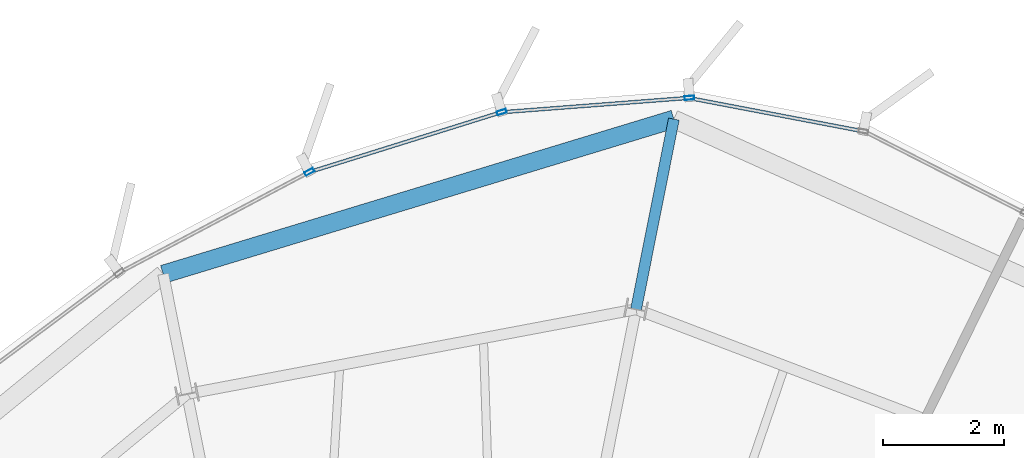
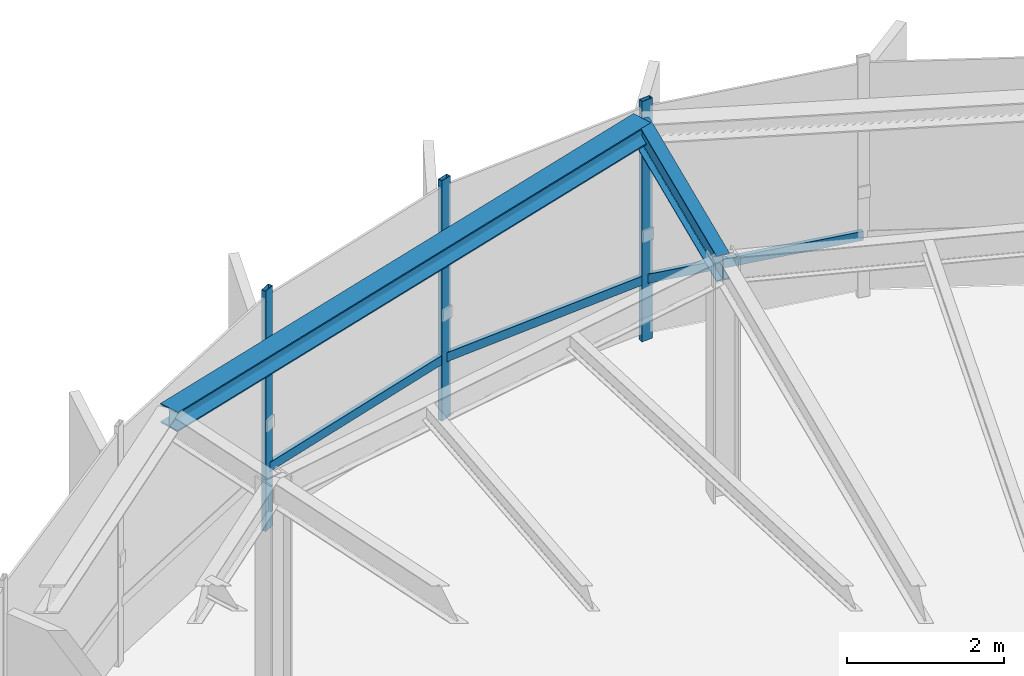
# One storey, part 18 of 26: 6 members, 2 beams, 1 element without a shape of its own.
"""IFC4 building model written with IfcOpenShell, lengths in metres."""

import ifcopenshell
import ifcopenshell.guid

model = None  # the IFC model being written
_history = None  # IfcOwnerHistory: only IFC2X3 demands one
_inside = {}  # id of a spatial element -> (the spatial element, [elements in it])
_under = {}  # id of a project, library or spatial element -> (it, [spatial elements below it])
_declared = {}  # id of a project -> (the project, [libraries it declares])
_typed = {}  # id of a type object -> (the type object, [elements of that type])
_made_of = {}  # id of a material, layer set ... -> (it, [elements and type objects made of it])


def new_model(schema):
    """Start an empty IFC model of exactly this schema.

    Asked for "IFC4X3", IfcOpenShell would pick the latest addendum, in which some entities
    have other attributes; the version numbers below select the first issue.
    IFC2X3 requires an IfcOwnerHistory on every rooted entity: one is made here for all.
    """
    global model, _history
    if schema == "IFC4X3":
        model = ifcopenshell.file(schema_version=(4, 3, 0, 0))
    else:
        model = ifcopenshell.file(schema=schema)
    _inside.clear()
    _under.clear()
    _declared.clear()
    _typed.clear()
    _made_of.clear()
    _history = None
    if model.schema == "IFC2X3":
        org = make("IfcOrganization", Name="unknown")
        user = make(
            "IfcPersonAndOrganization",
            ThePerson=make("IfcPerson", FamilyName="unknown"),
            TheOrganization=org,
        )
        app = make(
            "IfcApplication",
            ApplicationDeveloper=org,
            Version="unknown",
            ApplicationFullName="unknown",
            ApplicationIdentifier="unknown",
        )
        _history = make(
            "IfcOwnerHistory",
            OwningUser=user,
            OwningApplication=app,
            ChangeAction="ADDED",
            CreationDate=0,
        )
    return model


def make(cls, **values):
    """One entity of the class cls with the attributes given. An attribute that is None is left unset."""
    return model.create_entity(
        cls, **{name: value for name, value in values.items() if value is not None}
    )


def rooted(cls, **values):
    """An entity with a GlobalId (a new one), such as an element, a storey or a relation."""
    return make(cls, GlobalId=ifcopenshell.guid.new(), OwnerHistory=_history, **values)


def si_unit(unit_type, name, prefix=None):
    """IfcSIUnit, for example si_unit("LENGTHUNIT", "METRE", prefix="MILLI")."""
    return make("IfcSIUnit", UnitType=unit_type, Prefix=prefix, Name=name)


def assignment(units):
    """IfcUnitAssignment: the units of a project."""
    return None if units is None else make("IfcUnitAssignment", Units=units)


def point(xyz):
    """IfcCartesianPoint."""
    return None if xyz is None else make("IfcCartesianPoint", Coordinates=xyz)


def direction(xyz):
    """IfcDirection."""
    return None if xyz is None else make("IfcDirection", DirectionRatios=xyz)


def frame(location, z_axis=None, x_axis=None):
    """IfcAxis2Placement3D, a coordinate frame: its origin and axes. An axis left out is left unset."""
    return make(
        "IfcAxis2Placement3D",
        Location=point(location),
        Axis=direction(z_axis),
        RefDirection=direction(x_axis),
    )


def frame_2d(location, x_axis=None):
    """IfcAxis2Placement2D, a coordinate frame in the plane: its origin and x axis."""
    return make(
        "IfcAxis2Placement2D", Location=point(location), RefDirection=direction(x_axis)
    )


def origin():
    """The frame at (0, 0, 0) with its axes left unset."""
    return frame((0.0, 0.0, 0.0))


def origin_2d():
    """The frame at (0, 0) in the plane with its x axis left unset."""
    return frame_2d((0.0, 0.0))


def place(relative_to, where):
    """IfcLocalPlacement: puts the frame where relative to a parent placement (None: the world)."""
    return make(
        "IfcLocalPlacement", PlacementRelTo=relative_to, RelativePlacement=where
    )


def context(
    kind, dimensions, precision=None, world=None, true_north=None, identifier=None
):
    """IfcGeometricRepresentationContext, for example the 3D "Model" context."""
    return make(
        "IfcGeometricRepresentationContext",
        ContextIdentifier=identifier,
        ContextType=kind,
        CoordinateSpaceDimension=dimensions,
        Precision=precision,
        WorldCoordinateSystem=world,
        TrueNorth=true_north,
    )


def subcontext(parent, identifier, kind, view, scale=None):
    """IfcGeometricRepresentationSubContext, for example "Body" below "Model"."""
    return make(
        "IfcGeometricRepresentationSubContext",
        ContextIdentifier=identifier,
        ContextType=kind,
        ParentContext=parent,
        TargetScale=scale,
        TargetView=view,
    )


def project(units=None, contexts=None):
    """IfcProject with its units and contexts."""
    return rooted(
        "IfcProject",
        Name="project",
        RepresentationContexts=contexts,
        UnitsInContext=assignment(units),
    )


def spatial(cls, under=None, at=None, **own):
    """A site, building, storey or space (cls), placed at a placement, below another one or the project."""
    s = rooted(cls, ObjectPlacement=at, **own)
    if under is not None:
        _under.setdefault(under.id(), (under, []))[1].append(s)
    return s


def profile(cls, at=None, kind="AREA", **sizes):
    """A parametric profile (cls). Its sizes go by their IFC names, for example OverallWidth=200.0."""
    return make(cls, ProfileType=kind, Position=at, **sizes)


def hollow_rectangle(**sizes):
    """IfcRectangleHollowProfileDef."""
    return profile("IfcRectangleHollowProfileDef", **sizes)


def i_section(**sizes):
    """IfcIShapeProfileDef."""
    return profile("IfcIShapeProfileDef", **sizes)


def extrude(swept, where, along, depth):
    """IfcExtrudedAreaSolid: the profile swept, set in the frame where, extruded along a direction by depth."""
    return make(
        "IfcExtrudedAreaSolid",
        SweptArea=swept,
        Position=where,
        ExtrudedDirection=direction(along),
        Depth=depth,
    )


def shape(context_of_items, identifier, shape_type, items):
    """IfcShapeRepresentation: the items that make up one representation, for example the "Body"."""
    return make(
        "IfcShapeRepresentation",
        ContextOfItems=context_of_items,
        RepresentationIdentifier=identifier,
        RepresentationType=shape_type,
        Items=items,
    )


def source(mapping_origin, context_of_items, identifier, shape_type, items):
    """IfcRepresentationMap: a shape defined once, which mapped items show again and again."""
    return make(
        "IfcRepresentationMap",
        MappingOrigin=mapping_origin,
        MappedRepresentation=shape(context_of_items, identifier, shape_type, items),
    )


def transform(
    local_origin,
    x_axis=None,
    y_axis=None,
    z_axis=None,
    scale=None,
    scale2=None,
    scale3=None,
    uniform=True,
):
    """IfcCartesianTransformationOperator3D, or its non-uniform kind. x_axis, y_axis, z_axis: its Axis1, 2, 3."""
    if uniform:
        return make(
            "IfcCartesianTransformationOperator3D",
            Axis1=direction(x_axis),
            Axis2=direction(y_axis),
            LocalOrigin=point(local_origin),
            Scale=scale,
            Axis3=direction(z_axis),
        )
    return make(
        "IfcCartesianTransformationOperator3DnonUniform",
        Axis1=direction(x_axis),
        Axis2=direction(y_axis),
        LocalOrigin=point(local_origin),
        Scale=scale,
        Axis3=direction(z_axis),
        Scale2=scale2,
        Scale3=scale3,
    )


def mapped(mapping_source, mapping_target):
    """IfcMappedItem: shows the shape of a source again, moved by a transform."""
    return make(
        "IfcMappedItem", MappingSource=mapping_source, MappingTarget=mapping_target
    )


def material(Name=None, Category=None):
    """IfcMaterial."""
    return make("IfcMaterial", Name=Name, Category=Category)


def layer(
    of_material, thickness, ventilated=None, Name=None, Category=None, Priority=None
):
    """IfcMaterialLayer: one layer of a wall or slab, of a material (None: an air gap)."""
    return make(
        "IfcMaterialLayer",
        Material=of_material,
        LayerThickness=thickness,
        IsVentilated=ventilated,
        Name=Name,
        Category=Category,
        Priority=Priority,
    )


def layer_set(layers, Name=None):
    """IfcMaterialLayerSet."""
    return make("IfcMaterialLayerSet", MaterialLayers=layers, LayerSetName=Name)


def material_profile(
    of_material, cross_section, Name=None, Category=None, Priority=None
):
    """IfcMaterialProfile: a cross section and its material."""
    return make(
        "IfcMaterialProfile",
        Name=Name,
        Material=of_material,
        Profile=cross_section,
        Priority=Priority,
        Category=Category,
    )


def profile_set(profiles, Name=None, composite=None):
    """IfcMaterialProfileSet."""
    return make(
        "IfcMaterialProfileSet",
        Name=Name,
        MaterialProfiles=profiles,
        CompositeProfile=composite,
    )


def made_of(thing, what):
    """Note that an element or type object is made of a material, layer set ...; save() writes the relation."""
    if what is not None:
        _made_of.setdefault(what.id(), (what, []))[1].append(thing)
    return thing


def type_object(cls, material=None, **own):
    """A type object (cls), such as IfcWallType, which elements share."""
    return made_of(rooted(cls, **own), material)


def element(
    cls,
    number,
    at=None,
    inside=None,
    cuts=None,
    type_object=None,
    material=None,
    context=None,
    identifier="Body",
    shape_type=None,
    held_by="IfcProductDefinitionShape",
    body=None,
    shapes=None,
    **own,
):
    """One element of the class cls, such as IfcWall. Its Tag is "e" and its number.

    at: its placement. inside: the storey or other place that contains it. cuts: it is an
    opening in that element (IfcRelVoidsElement). A single representation is given by context,
    identifier, shape_type and body (its items); several are given by shapes. held_by: the class
    of the entity that holds the representations. save() writes the other relations.
    """
    e = rooted(cls, Tag="e%d" % number, ObjectPlacement=at, **own)
    if body is not None:
        shapes = [shape(context, identifier, shape_type, body)]
    if shapes is not None:
        e.Representation = make(held_by, Representations=shapes)
    if inside is not None:
        _inside.setdefault(inside.id(), (inside, []))[1].append(e)
    if cuts is not None:
        rooted(
            "IfcRelVoidsElement", RelatingBuildingElement=cuts, RelatedOpeningElement=e
        )
    if type_object is not None:
        _typed.setdefault(type_object.id(), (type_object, []))[1].append(e)
    return made_of(e, material)


def aggregate(whole, parts):
    """IfcRelAggregates: a whole, such as a stair, and the parts it consists of."""
    return rooted("IfcRelAggregates", RelatingObject=whole, RelatedObjects=parts)


def save(model, path):
    """Write the relations noted so far, then the file.

    IfcRelAggregates (storeys below a building ...), IfcRelContainedInSpatialStructure (elements
    in a storey), IfcRelDefinesByType, IfcRelAssociatesMaterial and IfcRelDeclares: one each for
    every whole, place, type object, material and project.
    """
    for whole, parts in _under.values():
        aggregate(whole, parts)
    for where, things in _inside.values():
        rooted(
            "IfcRelContainedInSpatialStructure",
            RelatedElements=things,
            RelatingStructure=where,
        )
    for kind, things in _typed.values():
        rooted("IfcRelDefinesByType", RelatedObjects=things, RelatingType=kind)
    for what, things in _made_of.values():
        rooted("IfcRelAssociatesMaterial", RelatedObjects=things, RelatingMaterial=what)
    for by, libraries in _declared.values():
        rooted("IfcRelDeclares", RelatingContext=by, RelatedDefinitions=libraries)
    model.write(path)


model = new_model("IFC4")

# Units and contexts
model_context = context("Model", 3, precision=1e-05, world=origin(), true_north=direction((0.0, 1.0)))
body_context = subcontext(model_context, "Body", "Model", "MODEL_VIEW")
ifc_project = project(units=[si_unit("LENGTHUNIT", "METRE"), si_unit("AREAUNIT", "SQUARE_METRE"), si_unit("VOLUMEUNIT", "CUBIC_METRE"), si_unit("PLANEANGLEUNIT", "RADIAN"), si_unit("MASSUNIT", "GRAM", prefix="KILO"), si_unit("THERMODYNAMICTEMPERATUREUNIT", "KELVIN")], contexts=[model_context])

# Site, building, storey
site_placement = place(None, origin())
site = spatial("IfcSite", under=ifc_project, at=site_placement, CompositionType="ELEMENT")
building_placement = place(site_placement, origin())
building = spatial("IfcBuilding", under=site, at=building_placement, Name="Kethvar Cultural Tower", CompositionType="ELEMENT")
storey_placement = place(building_placement, frame((0.0, 0.0, 320.300048828125)))
storey = spatial("IfcBuildingStorey", under=building, at=storey_placement, Name="L85", CompositionType="ELEMENT", Elevation=320.300048828125)

# Beams
ifc_material_1 = material(Name="Steel S355J2", Category="steel")
ifc_material_profile_1 = material_profile(ifc_material_1, i_section(OverallWidth=0.179931640625, OverallDepth=0.39990234375, WebThickness=0.008544921875, FlangeThickness=0.013427734375, FilletRadius=0.02099609375, at=origin_2d()), Name="Steel S355J2 — IPE400")
ifc_profile_set_1 = profile_set([ifc_material_profile_1], Name="Steel S355J2 — IPE400")
beam_type_1 = type_object("IfcBeamType", Name="BM-IPE400", PredefinedType="BEAM", material=ifc_profile_set_1)
shared_shape_1 = source(origin(), body_context, "Body", "SweptSolid", [
    extrude(i_section(OverallWidth=0.179931640625, OverallDepth=0.39990234375, WebThickness=0.008544921875, FlangeThickness=0.013427734375, FilletRadius=0.02099609375, at=origin_2d()), origin(), (0.0, 0.0, 1.0), 3.199951171875),
])
beam_1_placement = place(storey_placement, frame((50.645263671875, 47.131591796875, 3.532958984375), z_axis=(0.195088965533, 0.980785550224, 0.0), x_axis=(-0.980785550224, 0.195088965533, 0.0)))
element("IfcBeam", 1, at=beam_1_placement, inside=storey, type_object=beam_type_1, Name="L85 Perimeter Cantilever Beam RC-04", PredefinedType="BEAM", context=body_context, shape_type="MappedRepresentation", body=[
    mapped(shared_shape_1, transform((0.0, 0.0, 0.0), scale=1.0)),
])
ifc_material_profile_2 = material_profile(ifc_material_1, i_section(OverallWidth=0.300048828125, OverallDepth=0.300048828125, WebThickness=0.010986328125, FlangeThickness=0.01904296875, FilletRadius=0.027099609375, at=origin_2d()), Name="Steel S355J2 — HEB300")
ifc_profile_set_2 = profile_set([ifc_material_profile_2], Name="Steel S355J2 — HEB300")
beam_type_2 = type_object("IfcBeamType", Name="BM-SP300", PredefinedType="SPANDREL", material=ifc_profile_set_2)
shared_shape_2 = source(origin(), body_context, "Body", "SweptSolid", [
    extrude(i_section(OverallWidth=0.300048828125, OverallDepth=0.300048828125, WebThickness=0.010986328125, FlangeThickness=0.01904296875, FilletRadius=0.027099609375, at=origin_2d()), origin(), (0.0, 0.0, 1.0), 8.810302734375),
])
beam_2_placement = place(storey_placement, frame((51.26953125, 50.27001953125, 3.5830078125), z_axis=(-0.956834487416, -0.290633383649, 0.0), x_axis=(0.290633383649, -0.956834487416, 0.0)))
element("IfcBeam", 2, at=beam_2_placement, inside=storey, type_object=beam_type_2, Name="L85 Perimeter Spandrel Beam SP-04", PredefinedType="SPANDREL", context=body_context, shape_type="MappedRepresentation", body=[
    mapped(shared_shape_2, transform((0.0, 0.0, 0.0), scale=1.0)),
])

# Curtain wall, members
ifc_material_2 = material(Name="Aluminium 6063-T6", Category="aluminium")
ifc_layer = layer(ifc_material_2, 0.179931640625, Name="Aluminium 6063-T6", Category="aluminium")
ifc_layer_set = layer_set([ifc_layer], Name="Aluminium 6063-T6 (180 mm)")
curtain_wall_type = type_object("IfcCurtainWallType", Name="CW-SYS-06-CROWN", PredefinedType="NOTDEFINED", material=ifc_layer_set)
curtain_wall_placement = place(storey_placement, origin())
curtain_wall = element("IfcCurtainWall", 3, at=curtain_wall_placement, inside=storey, type_object=curtain_wall_type, Name="L85 Curtain Wall Run 01", PredefinedType="NOTDEFINED")
ifc_material_profile_3 = material_profile(ifc_material_2, hollow_rectangle(XDim=0.06494140625, YDim=0.159912109375, WallThickness=0.0048828125, at=origin_2d()), Name="Aluminium 6063-T6 — RHS160x65x5")
ifc_profile_set_3 = profile_set([ifc_material_profile_3], Name="Aluminium 6063-T6 — RHS160x65x5")
member_type_1 = type_object("IfcMemberType", Name="CW-SYS-06-CROWN-MUL", PredefinedType="MULLION", material=ifc_profile_set_3)
shared_shape_3 = source(origin(), body_context, "Body", "SweptSolid", [
    extrude(hollow_rectangle(XDim=0.06494140625, YDim=0.159912109375, WallThickness=0.0048828125, at=origin_2d()), origin(), (0.0, 0.0, 1.0), 3.73486328125),
])
member_1_placement = place(storey_placement, frame((51.52587890625, 50.621337890625, 0.0), z_axis=(0.0, 0.0, 1.0), x_axis=(0.076527606327, -0.997067462848, 0.0)))
member_1 = element("IfcMember", 4, at=member_1_placement, type_object=member_type_1, Name="CW-L85-R01 Mullion 2", PredefinedType="MULLION", context=body_context, shape_type="MappedRepresentation", body=[
    mapped(shared_shape_3, transform((0.0, 0.0, 0.0), scale=1.0)),
])
member_2_placement = place(storey_placement, frame((48.427978515625, 50.38671875, 0.0), z_axis=(0.0, 0.0, 1.0), x_axis=(0.297841422696, -0.954615360722, 0.0)))
member_2 = element("IfcMember", 5, at=member_2_placement, type_object=member_type_1, Name="CW-L85-R01 Mullion 3", PredefinedType="MULLION", context=body_context, shape_type="MappedRepresentation", body=[
    mapped(shared_shape_3, transform((0.0, 0.0, 0.0), scale=1.0)),
])
member_3_placement = place(storey_placement, frame((45.252197265625, 49.39794921875, 0.0), z_axis=(0.0, 0.0, 1.0), x_axis=(0.468207434326, -0.883618581992, 0.0)))
member_3 = element("IfcMember", 6, at=member_3_placement, type_object=member_type_1, Name="CW-L85-R01 Mullion 4", PredefinedType="MULLION", context=body_context, shape_type="MappedRepresentation", body=[
    mapped(shared_shape_3, transform((0.0, 0.0, 0.0), scale=1.0)),
])
ifc_material_profile_4 = material_profile(ifc_material_2, hollow_rectangle(XDim=0.06005859375, YDim=0.139892578125, WallThickness=0.0048828125, at=origin_2d()), Name="Aluminium 6063-T6 — RHS140x60x5")
ifc_profile_set_4 = profile_set([ifc_material_profile_4], Name="Aluminium 6063-T6 — RHS140x60x5")
member_type_2 = type_object("IfcMemberType", Name="CW-SYS-06-CROWN-TRN", PredefinedType="USERDEFINED", material=ifc_profile_set_4)
shared_shape_4 = source(origin(), body_context, "Body", "SweptSolid", [
    extrude(hollow_rectangle(XDim=0.06005859375, YDim=0.139892578125, WallThickness=0.0048828125, at=origin_2d()), origin(), (0.0, 0.0, 1.0), 2.904541015625),
])
member_4_placement = place(storey_placement, frame((54.393310546875, 50.069580078125, 0.949951171875), z_axis=(-0.982244273141, 0.18760647079, 0.0), x_axis=(-0.18760647079, -0.982244273141, 0.0)))
member_4 = element("IfcMember", 7, at=member_4_placement, type_object=member_type_2, Name="CW-L85-R01 Transom 1", ObjectType="TRANSOM", PredefinedType="USERDEFINED", context=body_context, shape_type="MappedRepresentation", body=[
    mapped(shared_shape_4, transform((0.0, 0.0, 0.0), scale=1.0)),
])
shared_shape_5 = source(origin(), body_context, "Body", "SweptSolid", [
    extrude(hollow_rectangle(XDim=0.06005859375, YDim=0.139892578125, WallThickness=0.0048828125, at=origin_2d()), origin(), (0.0, 0.0, 1.0), 3.040283203125),
])
member_5_placement = place(storey_placement, frame((51.479248046875, 50.617919921875, 0.949951171875), z_axis=(-0.99706109511, -0.07661052551, 0.0), x_axis=(0.07661052551, -0.99706109511, 0.0)))
member_5 = element("IfcMember", 8, at=member_5_placement, type_object=member_type_2, Name="CW-L85-R01 Transom 2", ObjectType="TRANSOM", PredefinedType="USERDEFINED", context=body_context, shape_type="MappedRepresentation", body=[
    mapped(shared_shape_5, transform((0.0, 0.0, 0.0), scale=1.0)),
])
shared_shape_6 = source(origin(), body_context, "Body", "SweptSolid", [
    extrude(hollow_rectangle(XDim=0.06005859375, YDim=0.139892578125, WallThickness=0.0048828125, at=origin_2d()), origin(), (0.0, 0.0, 1.0), 3.25439453125),
])
member_6_placement = place(storey_placement, frame((48.38330078125, 50.372802734375, 0.949951171875), z_axis=(-0.95459870241, -0.297894809216, 0.0), x_axis=(0.297894809216, -0.95459870241, 0.0)))
member_6 = element("IfcMember", 9, at=member_6_placement, type_object=member_type_2, Name="CW-L85-R01 Transom 3", ObjectType="TRANSOM", PredefinedType="USERDEFINED", context=body_context, shape_type="MappedRepresentation", body=[
    mapped(shared_shape_6, transform((0.0, 0.0, 0.0), scale=1.0)),
])
aggregate(curtain_wall, [member_1, member_2, member_3, member_4, member_5, member_6])

save(model, "model.ifc")
